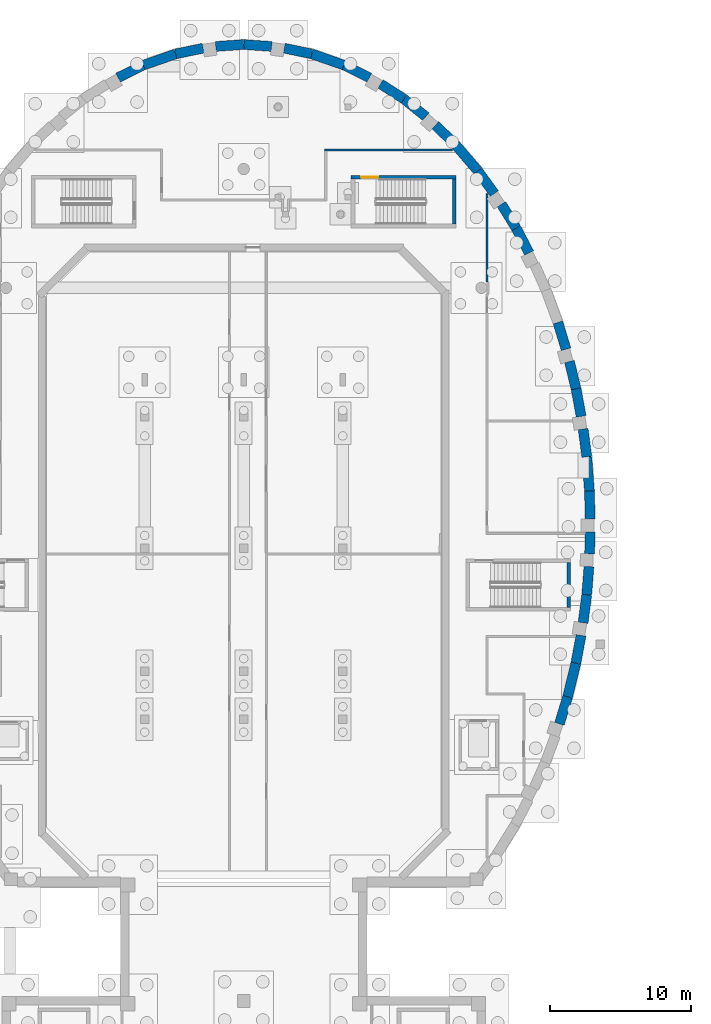
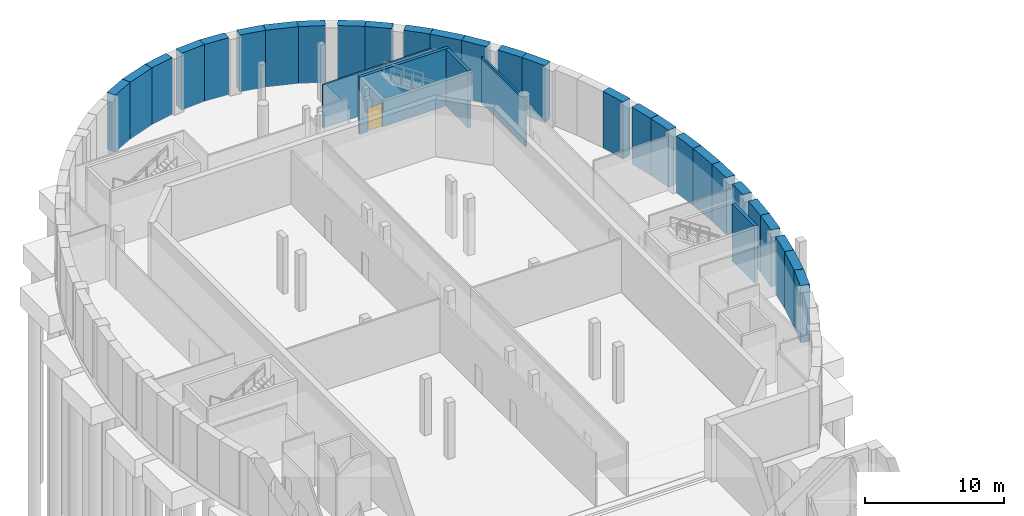
# One storey, part 16 of 33: 32 walls, 1 door, 1 opening.
"""IFC4 building model written with IfcOpenShell, lengths in metres."""

from ifc_helpers import new_model, si_unit, direction, frame, frame_2d, origin, place, context, subcontext, project, spatial, rectangle, extrude, material, layer, layer_set, type_object, element, fill, save


model = new_model("IFC4")

# Units and contexts
model_context = context("Model", 3, precision=1e-05, world=origin(), true_north=direction((0.0, 1.0)))
body_context = subcontext(model_context, "Body", "Model", "MODEL_VIEW")
ifc_project = project(units=[si_unit("LENGTHUNIT", "METRE"), si_unit("AREAUNIT", "SQUARE_METRE"), si_unit("VOLUMEUNIT", "CUBIC_METRE"), si_unit("PLANEANGLEUNIT", "RADIAN"), si_unit("MASSUNIT", "GRAM", prefix="KILO")], contexts=[model_context])

# Site, building, storey
site_placement = place(None, origin())
site = spatial("IfcSite", under=ifc_project, at=site_placement, CompositionType="ELEMENT")
building_placement = place(site_placement, origin())
building = spatial("IfcBuilding", under=site, at=building_placement, Name="Larchfold Concert Hall", CompositionType="ELEMENT")
storey_placement = place(building_placement, frame((0.0, 0.0, -5.0)))
storey = spatial("IfcBuildingStorey", under=building, at=storey_placement, Name="B1", CompositionType="ELEMENT", Elevation=-5.0)

# Walls
ifc_material_1 = material(Name="Plasterboard partition on steel studs", Category="steel")
ifc_layer_1 = layer(ifc_material_1, 0.14990234375)
ifc_layer_set_1 = layer_set([ifc_layer_1], Name="Plasterboard partition on steel studs")
wall_type_1 = type_object("IfcWallType", Name="Shaft and plant partition 150 EI 120", PredefinedType="PARTITIONING", material=ifc_layer_set_1)
wall_1_placement = place(storey_placement, frame((59.80029296875, 101.81982421875, 0.0), z_axis=(0.0, 0.0, 1.0), x_axis=(-3.895598e-05, 0.999999999241, 0.0)))
element("IfcWall", 1, at=wall_1_placement, inside=storey, type_object=wall_type_1, Name="Partition IW0024", PredefinedType="PARTITIONING", context=body_context, shape_type="SweptSolid", body=[
    extrude(rectangle(XDim=6.26708984375, YDim=0.14990234375, at=frame_2d((3.133544921875, 0.0))), origin(), (0.0, 0.0, 1.0), 4.099853515625),
])
wall_2_placement = place(storey_placement, frame((57.367919921875, 111.14990234375, 0.0), z_axis=(0.0, 0.0, 1.0), x_axis=(-1.0, 0.0, 0.0)))
element("IfcWall", 2, at=wall_2_placement, inside=storey, type_object=wall_type_1, Name="Partition IW0035", PredefinedType="PARTITIONING", context=body_context, shape_type="SweptSolid", body=[
    extrude(rectangle(XDim=9.04296875, YDim=0.14990234375, at=frame_2d((4.521484375, 0.0))), origin(), (0.0, 0.0, 1.0), 3.800048828125),
])

# Wall, opening, door
ifc_material_2 = material(Name="Concrete C40/50", Category="concrete")
ifc_layer_2 = layer(ifc_material_2, 0.25)
ifc_layer_set_2 = layer_set([ifc_layer_2], Name="Concrete C40/50")
wall_type_2 = type_object("IfcWallType", Name="Wall RC 250 stair core", PredefinedType="SOLIDWALL", material=ifc_layer_set_2)
wall_3_placement = place(storey_placement, frame((50.199951171875, 109.22509765625, 0.0), z_axis=(0.0, 0.0, 1.0), x_axis=(1.0, 0.0, 0.0)))
wall_3 = element("IfcWall", 3, at=wall_3_placement, inside=storey, type_object=wall_type_2, Name="Wall W0121", PredefinedType="SOLIDWALL", context=body_context, shape_type="SweptSolid", body=[
    extrude(rectangle(XDim=7.400146484375, YDim=0.25, at=frame_2d((3.7001953125, 0.0))), origin(), (0.0, 0.0, 1.0), 5.0),
])
opening_placement = place(wall_3_placement, frame((0.700439453125, 0.0, 0.0)))
opening = element("IfcOpeningElement", 4, at=opening_placement, cuts=wall_3, Name="Opening D-B1-149", PredefinedType="OPENING", context=body_context, shape_type="SweptSolid", body=[
    extrude(rectangle(XDim=1.199951171875, YDim=2.10009765625, at=frame_2d((0.60009765625, 1.050048828125))), frame((0.0, 0.135009765625, 0.0), z_axis=(0.0, -1.0, 0.0), x_axis=(1.0, 0.0, 0.0)), (0.0, 0.0, 1.0), 0.27001953125),
])
ifc_material_3 = material(Name="Timber door leaf", Category="wood")
door_type = type_object("IfcDoorType", Name="Stair enclosure door pair 1200 x 2100 FD60", OperationType="SINGLE_SWING_LEFT", PredefinedType="DOOR", material=ifc_material_3)
door_placement = place(opening_placement, origin())
door = element("IfcDoor", 5, at=door_placement, inside=storey, type_object=door_type, Name="Door D-B1-149", OperationType="DOUBLE_DOOR_SINGLE_SWING", OverallHeight=2.10009765625, OverallWidth=1.199951171875, PredefinedType="DOOR", context=body_context, shape_type="SweptSolid", body=[
    extrude(rectangle(XDim=1.199951171875, YDim=2.10009765625, at=frame_2d((0.60009765625, 1.050048828125))), frame((0.0, 0.02490234375, 0.0), z_axis=(0.0, -1.0, 0.0), x_axis=(1.0, 0.0, 0.0)), (0.0, 0.0, 1.0), 0.050048828125),
])
fill(opening, door)

# Walls
wall_4_placement = place(storey_placement, frame((57.47509765625, 105.89990234375, 0.0), z_axis=(0.0, 0.0, 1.0), x_axis=(0.0, 1.0, 0.0)))
element("IfcWall", 6, at=wall_4_placement, inside=storey, type_object=wall_type_2, Name="Wall W0123", PredefinedType="SOLIDWALL", context=body_context, shape_type="SweptSolid", body=[
    extrude(rectangle(XDim=3.2001953125, YDim=0.25, at=frame_2d((1.60009765625, 0.0))), origin(), (0.0, 0.0, 1.0), 5.0),
])
wall_5_placement = place(storey_placement, frame((65.574951171875, 78.800048828125, 0.0), z_axis=(0.0, 0.0, 1.0), x_axis=(0.0, 1.0, 0.0)))
element("IfcWall", 7, at=wall_5_placement, inside=storey, type_object=wall_type_2, Name="Wall W0135", PredefinedType="SOLIDWALL", context=body_context, shape_type="SweptSolid", body=[
    extrude(rectangle(XDim=3.199951171875, YDim=0.25, at=frame_2d((1.60009765625, 0.0))), origin(), (0.0, 0.0, 1.0), 5.0),
])
ifc_material_4 = material(Name="Concrete C30/37", Category="concrete")
ifc_layer_3 = layer(ifc_material_4, 0.699951171875)
ifc_layer_set_3 = layer_set([ifc_layer_3], Name="Concrete C30/37")
wall_type_3 = type_object("IfcWallType", Name="Wall RC 700 retaining wall", PredefinedType="SOLIDWALL", material=ifc_layer_set_3)
wall_6_placement = place(storey_placement, frame((33.71728515625, 116.26220703125, 0.0), z_axis=(0.0, 0.0, 1.0), x_axis=(0.896853462249, 0.44232778259, 0.0)))
element("IfcWall", 8, at=wall_6_placement, inside=storey, type_object=wall_type_3, Name="Wall W0054", PredefinedType="SOLIDWALL", context=body_context, shape_type="SweptSolid", body=[
    extrude(rectangle(XDim=1.9814453125, YDim=0.699951171875, at=frame_2d((0.99072265625, 0.0))), origin(), (0.0, 0.0, 1.0), 5.0),
])
wall_7_placement = place(storey_placement, frame((35.494873046875, 117.138916015625, 0.0), z_axis=(0.0, 0.0, 1.0), x_axis=(0.944351809112, 0.328937168204, 0.0)))
element("IfcWall", 9, at=wall_7_placement, inside=storey, type_object=wall_type_3, Name="Wall W0055", PredefinedType="SOLIDWALL", context=body_context, shape_type="SweptSolid", body=[
    extrude(rectangle(XDim=2.43212890625, YDim=0.699951171875, at=frame_2d((1.216064453125, 0.0))), origin(), (0.0, 0.0, 1.0), 5.0),
])
for number, where, z_axis, x_axis, name in (
    (10, (37.792236328125, 117.93896484375, 0.0), (0.0, 0.0, 1.0), (0.979157427707, 0.203102761594, 0.0), "Wall W0056"),
    (11, (40.62353515625, 118.4638671875, 0.0), (0.0, 0.0, 1.0), (0.997632661399, 0.068768255103, 0.0), "Wall W0057"),
    (12, (42.600341796875, 118.60009765625, 0.0), (0.0, 0.0, 1.0), (0.997632661399, -0.068768255103, 0.0), "Wall W0058"),
    (13, (45.46826171875, 118.34130859375, 0.0), (0.0, 0.0, 1.0), (0.979157427707, -0.203102761594, 0.0), "Wall W0059"),
):
    element("IfcWall", number, at=place(storey_placement, frame(where, z_axis=z_axis, x_axis=x_axis)), inside=storey, type_object=wall_type_3, Name=name, PredefinedType="SOLIDWALL", context=body_context, shape_type="SweptSolid", body=[
        extrude(rectangle(XDim=1.98095703125, YDim=0.699951171875, at=frame_2d((0.990478515625, 0.0))), origin(), (0.0, 0.0, 1.0), 5.0),
    ])
wall_8_placement = place(storey_placement, frame((47.408447265625, 117.93896484375, 0.0), z_axis=(0.0, 0.0, 1.0), x_axis=(0.944351809112, -0.328937168204, 0.0)))
element("IfcWall", 14, at=wall_8_placement, inside=storey, type_object=wall_type_3, Name="Wall W0060", PredefinedType="SOLIDWALL", context=body_context, shape_type="SweptSolid", body=[
    extrude(rectangle(XDim=2.43212890625, YDim=0.699951171875, at=frame_2d((1.216064453125, 0.0))), origin(), (0.0, 0.0, 1.0), 5.0),
])
wall_9_placement = place(storey_placement, frame((49.705810546875, 117.138671875, 0.0), z_axis=(0.0, 0.0, 1.0), x_axis=(0.896853462249, -0.44232778259, 0.0)))
element("IfcWall", 15, at=wall_9_placement, inside=storey, type_object=wall_type_3, Name="Wall W0061", PredefinedType="SOLIDWALL", context=body_context, shape_type="SweptSolid", body=[
    extrude(rectangle(XDim=1.9814453125, YDim=0.699951171875, at=frame_2d((0.99072265625, 0.0))), origin(), (0.0, 0.0, 1.0), 5.0),
])
wall_10_placement = place(storey_placement, frame((52.26611328125, 115.818603515625, 0.0), z_axis=(0.0, 0.0, 1.0), x_axis=(0.84051743137, -0.541784502882, 0.0)))
element("IfcWall", 16, at=wall_10_placement, inside=storey, type_object=wall_type_3, Name="Wall W0062", PredefinedType="SOLIDWALL", context=body_context, shape_type="SweptSolid", body=[
    extrude(rectangle(XDim=1.98193359375, YDim=0.699951171875, at=frame_2d((0.990966796875, 0.0))), origin(), (0.0, 0.0, 1.0), 5.0),
])
wall_11_placement = place(storey_placement, frame((53.932373046875, 114.744384765625, 0.0), z_axis=(0.0, 0.0, 1.0), x_axis=(0.779002881512, -0.627020343048, 0.0)))
element("IfcWall", 17, at=wall_11_placement, inside=storey, type_object=wall_type_3, Name="Wall W0063", PredefinedType="SOLIDWALL", context=body_context, shape_type="SweptSolid", body=[
    extrude(rectangle(XDim=1.982177734375, YDim=0.699951171875, at=frame_2d((0.9912109375, 0.0))), origin(), (0.0, 0.0, 1.0), 5.0),
])
wall_12_placement = place(storey_placement, frame((56.149658203125, 112.904052734375, 0.0), z_axis=(0.0, 0.0, 1.0), x_axis=(0.715005301031, -0.699119030994, 0.0)))
element("IfcWall", 18, at=wall_12_placement, inside=storey, type_object=wall_type_3, Name="Wall W0064", PredefinedType="SOLIDWALL", context=body_context, shape_type="SweptSolid", body=[
    extrude(rectangle(XDim=1.982421875, YDim=0.699951171875, at=frame_2d((0.9912109375, 0.0))), origin(), (0.0, 0.0, 1.0), 5.0),
])
wall_13_placement = place(storey_placement, frame((57.567626953125, 111.517578125, 0.0), z_axis=(0.0, 0.0, 1.0), x_axis=(0.650510330903, -0.759497405781, 0.0)))
element("IfcWall", 19, at=wall_13_placement, inside=storey, type_object=wall_type_3, Name="Wall W0065", PredefinedType="SOLIDWALL", context=body_context, shape_type="SweptSolid", body=[
    extrude(rectangle(XDim=2.4326171875, YDim=0.699951171875, at=frame_2d((1.21630859375, 0.0))), origin(), (0.0, 0.0, 1.0), 5.0),
])
wall_14_placement = place(storey_placement, frame((59.150390625, 109.66943359375, 0.0), z_axis=(0.0, 0.0, 1.0), x_axis=(0.586721433945, -0.809788836024, 0.0)))
element("IfcWall", 20, at=wall_14_placement, inside=storey, type_object=wall_type_3, Name="Wall W0066", PredefinedType="SOLIDWALL", context=body_context, shape_type="SweptSolid", body=[
    extrude(rectangle(XDim=1.983154296875, YDim=0.699951171875, at=frame_2d((0.99169921875, 0.0))), origin(), (0.0, 0.0, 1.0), 5.0),
])
wall_15_placement = place(storey_placement, frame((60.814208984375, 107.315185546875, 0.0), z_axis=(0.0, 0.0, 1.0), x_axis=(0.52413177267, -0.851637179131, 0.0)))
element("IfcWall", 21, at=wall_15_placement, inside=storey, type_object=wall_type_3, Name="Wall W0067", PredefinedType="SOLIDWALL", context=body_context, shape_type="SweptSolid", body=[
    extrude(rectangle(XDim=1.98291015625, YDim=0.699951171875, at=frame_2d((0.991455078125, 0.0))), origin(), (0.0, 0.0, 1.0), 5.0),
])
wall_16_placement = place(storey_placement, frame((61.853515625, 105.6259765625, 0.0), z_axis=(0.0, 0.0, 1.0), x_axis=(0.46324322227, -0.886231187118, 0.0)))
element("IfcWall", 22, at=wall_16_placement, inside=storey, type_object=wall_type_3, Name="Wall W0068", PredefinedType="SOLIDWALL", context=body_context, shape_type="SweptSolid", body=[
    extrude(rectangle(XDim=1.983154296875, YDim=0.699951171875, at=frame_2d((0.99169921875, 0.0))), origin(), (0.0, 0.0, 1.0), 5.0),
])
wall_17_placement = place(storey_placement, frame((64.8076171875, 98.9599609375, 0.0), z_axis=(0.0, 0.0, 1.0), x_axis=(0.29059832342, -0.956845136072, 0.0)))
element("IfcWall", 23, at=wall_17_placement, inside=storey, type_object=wall_type_3, Name="Wall W0071", PredefinedType="SOLIDWALL", context=body_context, shape_type="SweptSolid", body=[
    extrude(rectangle(XDim=1.983642578125, YDim=0.699951171875, at=frame_2d((0.99169921875, 0.0))), origin(), (0.0, 0.0, 1.0), 5.0),
])
for number, where, z_axis, x_axis, name in (
    (24, (65.62109375, 96.19384765625, 0.0), (0.0, 0.0, 1.0), (0.235955816909, -0.971763784295, 0.0), "Wall W0072"),
    (25, (66.089111328125, 94.265869140625, 0.0), (0.0, 0.0, 1.0), (0.18241541525, -0.983221549946, 0.0), "Wall W0073"),
):
    element("IfcWall", number, at=place(storey_placement, frame(where, z_axis=z_axis, x_axis=x_axis)), inside=storey, type_object=wall_type_3, Name=name, PredefinedType="SOLIDWALL", context=body_context, shape_type="SweptSolid", body=[
        extrude(rectangle(XDim=1.9833984375, YDim=0.699951171875, at=frame_2d((0.99169921875, 0.0))), origin(), (0.0, 0.0, 1.0), 5.0),
    ])
wall_18_placement = place(storey_placement, frame((66.59130859375, 91.4267578125, 0.0), z_axis=(0.0, 0.0, 1.0), x_axis=(0.129728552842, -0.991549546204, 0.0)))
element("IfcWall", 26, at=wall_18_placement, inside=storey, type_object=wall_type_3, Name="Wall W0074", PredefinedType="SOLIDWALL", context=body_context, shape_type="SweptSolid", body=[
    extrude(rectangle(XDim=1.983642578125, YDim=0.699951171875, at=frame_2d((0.99169921875, 0.0))), origin(), (0.0, 0.0, 1.0), 5.0),
])
wall_19_placement = place(storey_placement, frame((66.8486328125, 89.45947265625, 0.0), z_axis=(0.0, 0.0, 1.0), x_axis=(0.077555774931, -0.99698801486, 0.0)))
element("IfcWall", 27, at=wall_19_placement, inside=storey, type_object=wall_type_3, Name="Wall W0075", PredefinedType="SOLIDWALL", context=body_context, shape_type="SweptSolid", body=[
    extrude(rectangle(XDim=2.433349609375, YDim=0.699951171875, at=frame_2d((1.216796875, 0.0))), origin(), (0.0, 0.0, 1.0), 5.0),
])
wall_20_placement = place(storey_placement, frame((67.037353515625, 87.032958984375, 0.0), z_axis=(0.0, 0.0, 1.0), x_axis=(0.025724062798, -0.999669081543, 0.0)))
element("IfcWall", 28, at=wall_20_placement, inside=storey, type_object=wall_type_3, Name="Wall W0076", PredefinedType="SOLIDWALL", context=body_context, shape_type="SweptSolid", body=[
    extrude(rectangle(XDim=1.983642578125, YDim=0.699951171875, at=frame_2d((0.99169921875, 0.0))), origin(), (0.0, 0.0, 1.0), 5.0),
])
wall_21_placement = place(storey_placement, frame((67.08837890625, 84.150146484375, 0.0), z_axis=(0.0, 0.0, 1.0), x_axis=(-0.025850708545, -0.999665814594, 0.0)))
element("IfcWall", 29, at=wall_21_placement, inside=storey, type_object=wall_type_3, Name="Wall W0077", PredefinedType="SOLIDWALL", context=body_context, shape_type="SweptSolid", body=[
    extrude(rectangle(XDim=1.548828125, YDim=0.699951171875, at=frame_2d((0.7744140625, 0.0))), origin(), (0.0, 0.0, 1.0), 5.0),
])
wall_22_placement = place(storey_placement, frame((67.00146484375, 81.703125, 0.0), z_axis=(0.0, 0.0, 1.0), x_axis=(-0.078050803197, -0.996949382928, 0.0)))
element("IfcWall", 30, at=wall_22_placement, inside=storey, type_object=wall_type_3, Name="Wall W0078", PredefinedType="SOLIDWALL", context=body_context, shape_type="SweptSolid", body=[
    extrude(rectangle(XDim=1.998779296875, YDim=0.699951171875, at=frame_2d((0.99951171875, 0.0))), origin(), (0.0, 0.0, 1.0), 5.0),
])
for number, where, z_axis, x_axis, name in (
    (31, (66.845458984375, 79.7099609375, 0.0), (0.0, 0.0, 1.0), (-0.130467152696, -0.991452632286, 0.0), "Wall W0079"),
    (32, (66.443359375, 76.839599609375, 0.0), (0.0, 0.0, 1.0), (-0.183602564875, -0.983000558581, 0.0), "Wall W0080"),
):
    element("IfcWall", number, at=place(storey_placement, frame(where, z_axis=z_axis, x_axis=x_axis)), inside=storey, type_object=wall_type_3, Name=name, PredefinedType="SOLIDWALL", context=body_context, shape_type="SweptSolid", body=[
        extrude(rectangle(XDim=1.99853515625, YDim=0.699951171875, at=frame_2d((0.999267578125, 0.0))), origin(), (0.0, 0.0, 1.0), 5.0),
    ])
wall_23_placement = place(storey_placement, frame((66.076416015625, 74.87451171875, 0.0), z_axis=(0.0, 0.0, 1.0), x_axis=(-0.237511634257, -0.971384693925, 0.0)))
element("IfcWall", 33, at=wall_23_placement, inside=storey, type_object=wall_type_3, Name="Wall W0081", PredefinedType="SOLIDWALL", context=body_context, shape_type="SweptSolid", body=[
    extrude(rectangle(XDim=2.448486328125, YDim=0.699951171875, at=frame_2d((1.22412109375, 0.0))), origin(), (0.0, 0.0, 1.0), 5.0),
])
wall_24_placement = place(storey_placement, frame((65.494873046875, 72.49560546875, 0.0), z_axis=(0.0, 0.0, 1.0), x_axis=(-0.292566107815, -0.956245299365, 0.0)))
element("IfcWall", 34, at=wall_24_placement, inside=storey, type_object=wall_type_3, Name="Wall W0082", PredefinedType="SOLIDWALL", context=body_context, shape_type="SweptSolid", body=[
    extrude(rectangle(XDim=1.99853515625, YDim=0.699951171875, at=frame_2d((0.999267578125, 0.0))), origin(), (0.0, 0.0, 1.0), 5.0),
])

save(model, "model.ifc")
